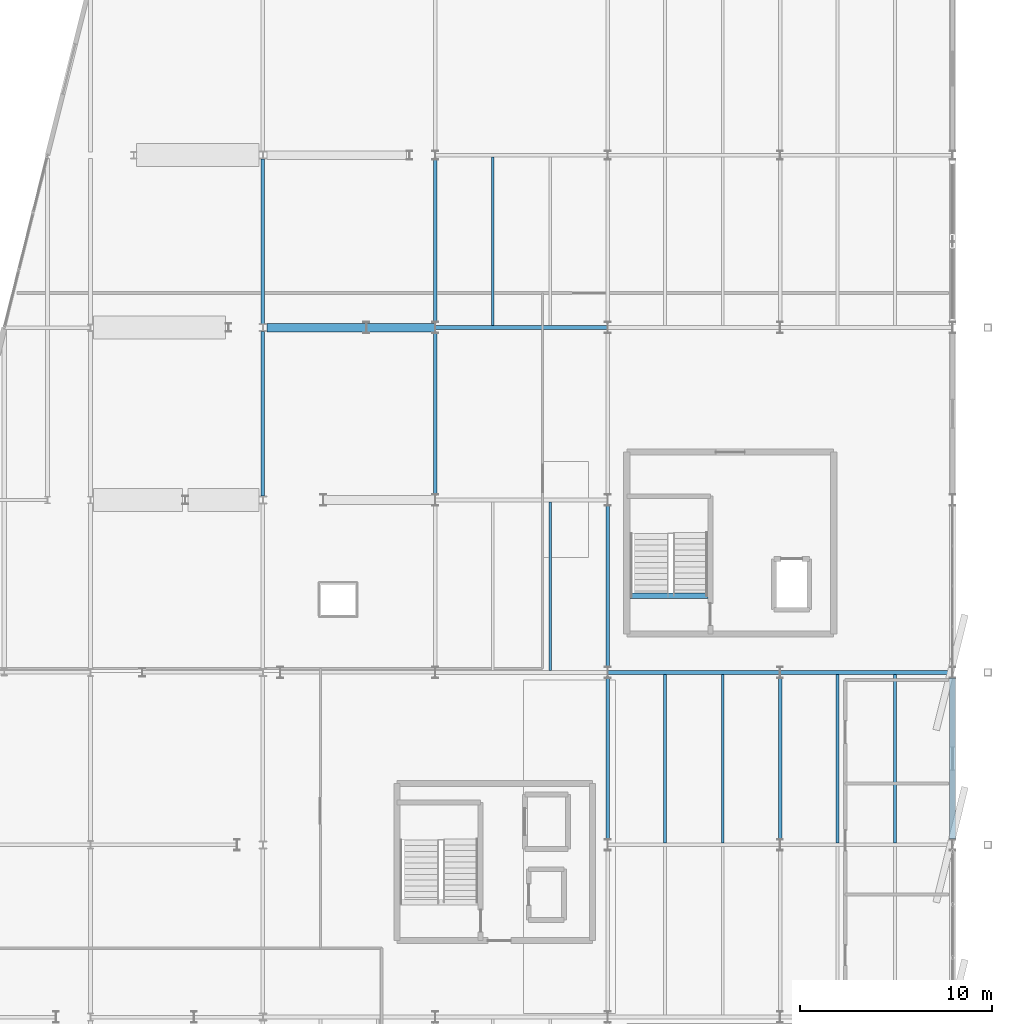
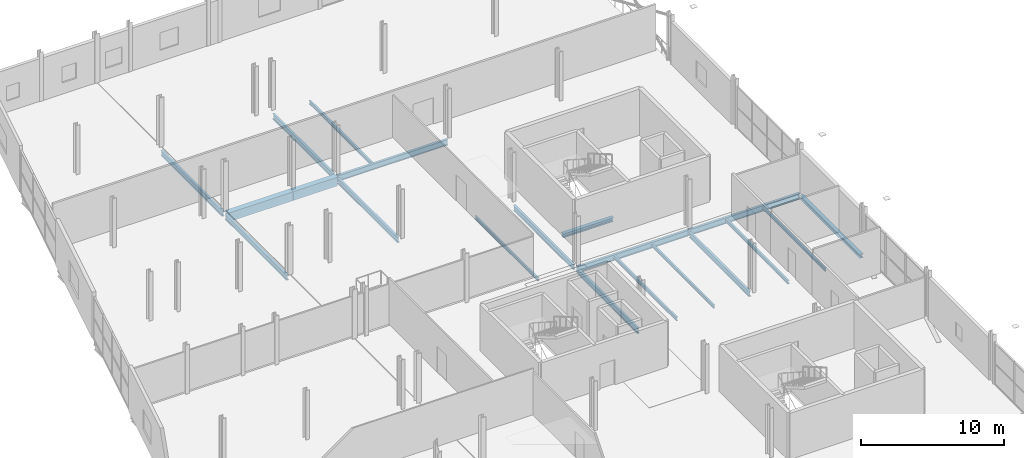
# One storey, part 93 of 132: 20 beams.
"""IFC4 building model written with IfcOpenShell, lengths in metres."""

from ifc_helpers import new_model, si_unit, direction, frame, origin, origin_2d, place, context, subcontext, project, spatial, rectangle, i_section, extrude, material, material_profile, profile_set, type_object, element, save


model = new_model("IFC4")

# Units and contexts
model_context = context("Model", 3, precision=1e-05, world=origin(), true_north=direction((0.0, 1.0)))
body_context = subcontext(model_context, "Body", "Model", "MODEL_VIEW")
ifc_project = project(units=[si_unit("LENGTHUNIT", "METRE"), si_unit("AREAUNIT", "SQUARE_METRE"), si_unit("VOLUMEUNIT", "CUBIC_METRE"), si_unit("PLANEANGLEUNIT", "RADIAN"), si_unit("MASSUNIT", "GRAM", prefix="KILO")], contexts=[model_context])

# Site, building, storey
site_placement = place(None, origin())
site = spatial("IfcSite", under=ifc_project, at=site_placement, CompositionType="ELEMENT")
building_placement = place(site_placement, origin())
building = spatial("IfcBuilding", under=site, at=building_placement, Name="Deido Ridge Mobility Hub", CompositionType="ELEMENT")
storey_placement = place(building_placement, frame((0.0, 0.0, 8.39990234375)))
storey = spatial("IfcBuildingStorey", under=building, at=storey_placement, Name="L02", CompositionType="ELEMENT", Elevation=8.39990234375)

# Beams
ifc_material_1 = material(Name="Steel S355J2 EN 10025-2", Category="steel")
ifc_material_profile_1 = material_profile(ifc_material_1, i_section(OverallWidth=0.300048828125, OverallDepth=0.330078125, WebThickness=0.009521484375, FlangeThickness=0.0166015625, FilletRadius=0.027099609375, at=origin_2d()), Name="HEA 340")
ifc_profile_set_1 = profile_set([ifc_material_profile_1], Name="Steel S355J2 EN 10025-2")
beam_type_1 = type_object("IfcBeamType", Name="BM-HEA340", PredefinedType="BEAM", material=ifc_profile_set_1)
beam_1_placement = place(storey_placement, frame((163.16259765625, 40.0, -0.419921875), z_axis=(1.0, 0.0, 0.0), x_axis=(0.0, 1.0, 0.0)))
element("IfcBeam", 1, at=beam_1_placement, inside=storey, type_object=beam_type_1, Name="C2 stair landing trimmer beam B6", PredefinedType="BEAM", context=body_context, shape_type="SweptSolid", body=[
    extrude(i_section(OverallWidth=0.300048828125, OverallDepth=0.330078125, WebThickness=0.009521484375, FlangeThickness=0.0166015625, FilletRadius=0.027099609375, at=origin_2d()), origin(), (0.0, 0.0, 1.0), 4.072509765625),
])
ifc_material_profile_2 = material_profile(ifc_material_1, i_section(OverallWidth=0.18994140625, OverallDepth=0.449951171875, WebThickness=0.009521484375, FlangeThickness=0.0146484375, FilletRadius=0.02099609375, at=origin_2d()), Name="IPE 450")
ifc_profile_set_2 = profile_set([ifc_material_profile_2], Name="Steel S355J2 EN 10025-2")
beam_type_2 = type_object("IfcBeamType", Name="BM-IPE450", PredefinedType="BEAM", material=ifc_profile_set_2)
for number, where, z_axis, x_axis, name in (
    (2, (144.0, 45.196533203125, -0.47998046875), (0.0, 1.0, 0.0), (-1.0, 0.0, 0.0), "Floor beam B4"),
    (3, (144.0, 54.196533203125, -0.47998046875), (0.0, 1.0, 0.0), (-1.0, 0.0, 0.0), "Floor beam B4"),
):
    element("IfcBeam", number, at=place(storey_placement, frame(where, z_axis=z_axis, x_axis=x_axis)), inside=storey, type_object=beam_type_2, Name=name, PredefinedType="BEAM", context=body_context, shape_type="SweptSolid", body=[
        extrude(i_section(OverallWidth=0.18994140625, OverallDepth=0.449951171875, WebThickness=0.009521484375, FlangeThickness=0.0146484375, FilletRadius=0.02099609375, at=origin_2d()), origin(), (0.0, 0.0, 1.0), 8.60693359375),
    ])
beam_2_placement = place(storey_placement, frame((153.0, 45.300048828125, -0.47998046875), z_axis=(0.0, 1.0, 0.0), x_axis=(-1.0, 0.0, 0.0)))
element("IfcBeam", 4, at=beam_2_placement, inside=storey, type_object=beam_type_2, Name="Floor beam B4", PredefinedType="BEAM", context=body_context, shape_type="SweptSolid", body=[
    extrude(i_section(OverallWidth=0.18994140625, OverallDepth=0.449951171875, WebThickness=0.009521484375, FlangeThickness=0.0146484375, FilletRadius=0.02099609375, at=origin_2d()), origin(), (0.0, 0.0, 1.0), 8.39990234375),
])
beam_3_placement = place(storey_placement, frame((153.0, 54.300048828125, -0.47998046875), z_axis=(0.0, 1.0, 0.0), x_axis=(-1.0, 0.0, 0.0)))
element("IfcBeam", 5, at=beam_3_placement, inside=storey, type_object=beam_type_2, Name="Floor beam B4", PredefinedType="BEAM", context=body_context, shape_type="SweptSolid", body=[
    extrude(i_section(OverallWidth=0.18994140625, OverallDepth=0.449951171875, WebThickness=0.009521484375, FlangeThickness=0.0146484375, FilletRadius=0.02099609375, at=origin_2d()), origin(), (0.0, 0.0, 1.0), 8.474853515625),
])
for number, where, z_axis, x_axis, name in (
    (6, (162.0, 27.300048828125, -0.47998046875), (0.0, 1.0, 0.0), (-1.0, 0.0, 0.0), "Floor beam B4"),
    (7, (162.0, 36.300048828125, -0.47998046875), (0.0, 1.0, 0.0), (-1.0, 0.0, 0.0), "Floor beam B4"),
    (8, (171.0, 27.300048828125, -0.47998046875), (0.0, 1.0, 0.0), (-1.0, 0.0, 0.0), "Floor beam B4"),
):
    element("IfcBeam", number, at=place(storey_placement, frame(where, z_axis=z_axis, x_axis=x_axis)), inside=storey, type_object=beam_type_2, Name=name, PredefinedType="BEAM", context=body_context, shape_type="SweptSolid", body=[
        extrude(i_section(OverallWidth=0.18994140625, OverallDepth=0.449951171875, WebThickness=0.009521484375, FlangeThickness=0.0146484375, FilletRadius=0.02099609375, at=origin_2d()), origin(), (0.0, 0.0, 1.0), 8.39990234375),
    ])
ifc_material_profile_3 = material_profile(ifc_material_1, i_section(OverallWidth=0.199951171875, OverallDepth=0.5, WebThickness=0.01025390625, FlangeThickness=0.01611328125, FilletRadius=0.02099609375, at=origin_2d()), Name="IPE 500")
ifc_profile_set_3 = profile_set([ifc_material_profile_3], Name="Steel S355J2 EN 10025-2")
beam_type_3 = type_object("IfcBeamType", Name="BM-IPE500", PredefinedType="BEAM", material=ifc_profile_set_3)
for number, where, z_axis, x_axis, name in (
    (9, (162.0078125, 36.0, -0.5048828125), (1.0, 0.0, 0.0), (0.0, 1.0, 0.0), "Floor beam B3"),
    (10, (171.0078125, 36.0, -0.5048828125), (1.0, 0.0, 0.0), (0.0, 1.0, 0.0), "Floor beam B3"),
    (11, (153.0078125, 54.0, -0.5048828125), (1.0, 0.0, 0.0), (0.0, 1.0, 0.0), "Floor beam B3"),
):
    element("IfcBeam", number, at=place(storey_placement, frame(where, z_axis=z_axis, x_axis=x_axis)), inside=storey, type_object=beam_type_3, Name=name, PredefinedType="BEAM", context=body_context, shape_type="SweptSolid", body=[
        extrude(i_section(OverallWidth=0.199951171875, OverallDepth=0.5, WebThickness=0.01025390625, FlangeThickness=0.01611328125, FilletRadius=0.02099609375, at=origin_2d()), origin(), (0.0, 0.0, 1.0), 8.984375),
    ])
ifc_material_2 = material(Name="Concrete C40/50", Category="concrete")
ifc_material_profile_4 = material_profile(ifc_material_2, rectangle(XDim=0.449951171875, YDim=0.75, at=origin_2d()), Name="RC BEAM 450x750")
ifc_profile_set_4 = profile_set([ifc_material_profile_4], Name="Concrete C40/50")
beam_type_4 = type_object("IfcBeamType", Name="BM-RC450X750", PredefinedType="BEAM", material=ifc_profile_set_4)
beam_4_placement = place(storey_placement, frame((144.199462890625, 54.0, -0.6298828125), z_axis=(1.0, 0.0, 0.0), x_axis=(0.0, 1.0, 0.0)))
element("IfcBeam", 12, at=beam_4_placement, inside=storey, type_object=beam_type_4, Name="Concrete plant girder RCB1", PredefinedType="BEAM", context=body_context, shape_type="SweptSolid", body=[
    extrude(rectangle(XDim=0.449951171875, YDim=0.75, at=origin_2d()), origin(), (0.0, 0.0, 1.0), 5.19287109375),
])
beam_5_placement = place(storey_placement, frame((149.40771484375, 54.0, -0.6298828125), z_axis=(1.0, 0.0, 0.0), x_axis=(0.0, 1.0, 0.0)))
element("IfcBeam", 13, at=beam_5_placement, inside=storey, type_object=beam_type_4, Name="Concrete plant girder RCB1", PredefinedType="BEAM", context=body_context, shape_type="SweptSolid", body=[
    extrude(rectangle(XDim=0.449951171875, YDim=0.75, at=origin_2d()), origin(), (0.0, 0.0, 1.0), 3.58447265625),
])
ifc_material_profile_5 = material_profile(ifc_material_1, i_section(OverallWidth=0.135009765625, OverallDepth=0.27001953125, WebThickness=0.006591796875, FlangeThickness=0.01025390625, FilletRadius=0.014892578125, at=origin_2d()), Name="IPE 270")
ifc_profile_set_5 = profile_set([ifc_material_profile_5], Name="Steel S355J2 EN 10025-2")
beam_type_5 = type_object("IfcBeamType", Name="JST-IPE270", PredefinedType="JOIST", material=ifc_profile_set_5)
for number, where, z_axis, x_axis, name in (
    (14, (168.0, 27.10009765625, -0.389892578125), (0.0, 1.0, 0.0), (-1.0, 0.0, 0.0), "Composite joist J4"),
    (15, (177.0, 27.10009765625, -0.389892578125), (0.0, 1.0, 0.0), (-1.0, 0.0, 0.0), "Composite joist J4"),
    (16, (159.0, 36.10009765625, -0.389892578125), (0.0, 1.0, 0.0), (-1.0, 0.0, 0.0), "Composite joist J4"),
):
    element("IfcBeam", number, at=place(storey_placement, frame(where, z_axis=z_axis, x_axis=x_axis)), inside=storey, type_object=beam_type_5, Name=name, PredefinedType="JOIST", context=body_context, shape_type="SweptSolid", body=[
        extrude(i_section(OverallWidth=0.135009765625, OverallDepth=0.27001953125, WebThickness=0.006591796875, FlangeThickness=0.01025390625, FilletRadius=0.014892578125, at=origin_2d()), origin(), (0.0, 0.0, 1.0), 8.7998046875),
    ])
ifc_material_profile_6 = material_profile(ifc_material_1, i_section(OverallWidth=0.14990234375, OverallDepth=0.300048828125, WebThickness=0.007080078125, FlangeThickness=0.0107421875, FilletRadius=0.014892578125, at=origin_2d()), Name="IPE 300")
ifc_profile_set_6 = profile_set([ifc_material_profile_6], Name="Steel S355J2 EN 10025-2")
beam_type_6 = type_object("IfcBeamType", Name="JST-IPE300", PredefinedType="JOIST", material=ifc_profile_set_6)
for number, where, z_axis, x_axis, name in (
    (17, (165.0, 27.10009765625, -0.40478515625), (0.0, 1.0, 0.0), (-1.0, 0.0, 0.0), "Composite joist J3"),
    (18, (174.0, 27.10009765625, -0.40478515625), (0.0, 1.0, 0.0), (-1.0, 0.0, 0.0), "Composite joist J3"),
    (19, (156.0, 54.10009765625, -0.40478515625), (0.0, 1.0, 0.0), (-1.0, 0.0, 0.0), "Composite joist J3"),
):
    element("IfcBeam", number, at=place(storey_placement, frame(where, z_axis=z_axis, x_axis=x_axis)), inside=storey, type_object=beam_type_6, Name=name, PredefinedType="JOIST", context=body_context, shape_type="SweptSolid", body=[
        extrude(i_section(OverallWidth=0.14990234375, OverallDepth=0.300048828125, WebThickness=0.007080078125, FlangeThickness=0.0107421875, FilletRadius=0.014892578125, at=origin_2d()), origin(), (0.0, 0.0, 1.0), 8.7998046875),
    ])
ifc_material_profile_7 = material_profile(ifc_material_1, i_section(OverallWidth=0.300048828125, OverallDepth=0.300048828125, WebThickness=0.010986328125, FlangeThickness=0.01904296875, FilletRadius=0.027099609375, at=origin_2d()), Name="HEB 300")
ifc_profile_set_7 = profile_set([ifc_material_profile_7], Name="Steel S355J2 EN 10025-2")
beam_type_7 = type_object("IfcBeamType", Name="SPD-HEB300", PredefinedType="SPANDREL", material=ifc_profile_set_7)
beam_6_placement = place(storey_placement, frame((180.0, 27.300048828125, -0.40478515625), z_axis=(0.0, 1.0, 0.0), x_axis=(-1.0, 0.0, 0.0)))
element("IfcBeam", 20, at=beam_6_placement, inside=storey, type_object=beam_type_7, Name="Floor beam SP1", PredefinedType="SPANDREL", context=body_context, shape_type="SweptSolid", body=[
    extrude(i_section(OverallWidth=0.300048828125, OverallDepth=0.300048828125, WebThickness=0.010986328125, FlangeThickness=0.01904296875, FilletRadius=0.027099609375, at=origin_2d()), origin(), (0.0, 0.0, 1.0), 8.39990234375),
])

save(model, "model.ifc")
